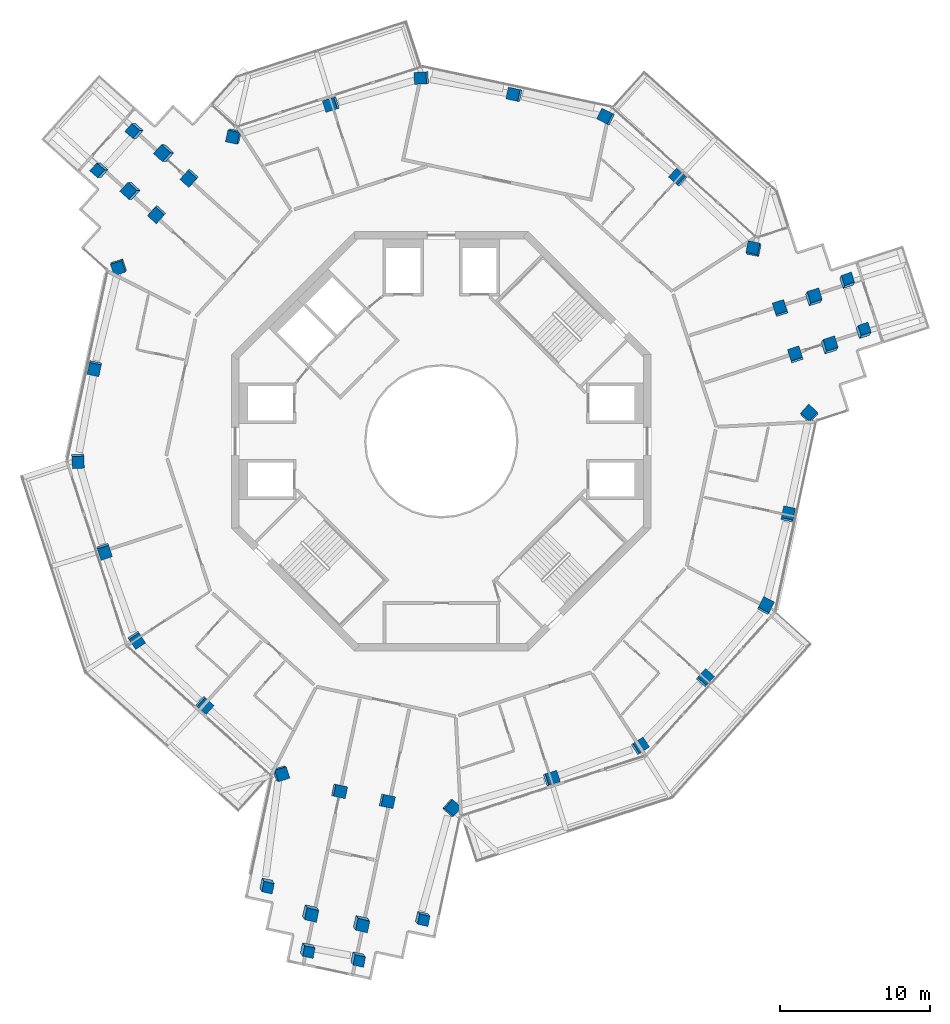
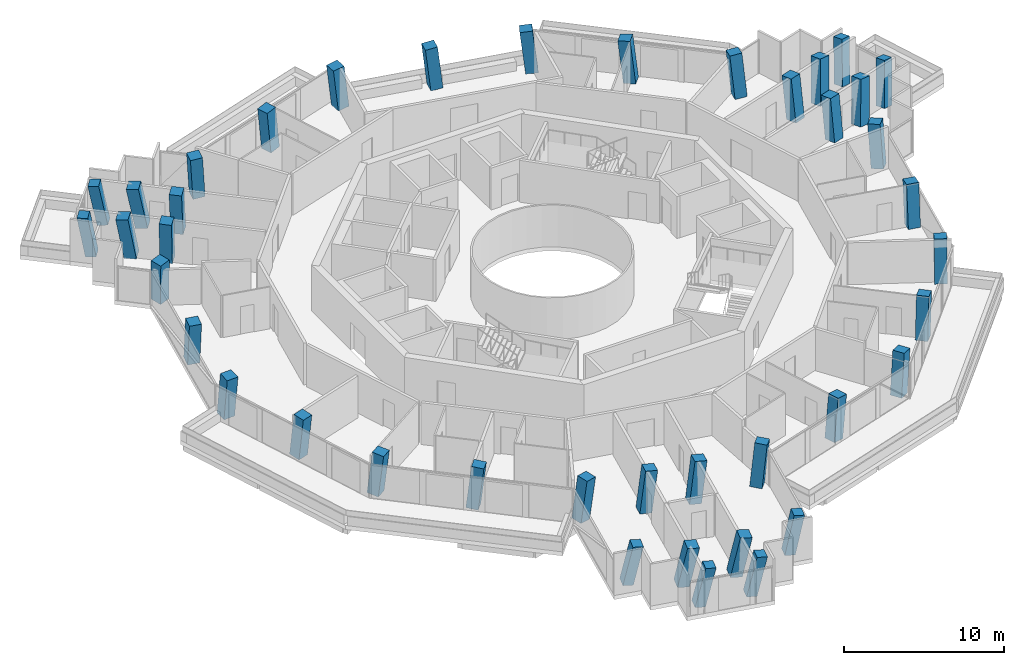
# One storey, part 1 of 22: 41 columns.
"""IFC4 building model written with IfcOpenShell, lengths in metres."""

from ifc_helpers import new_model, si_unit, direction, frame, origin, origin_2d, place, context, subcontext, project, spatial, rectangle, extrude, material, material_profile, profile_set, type_object, element, save


model = new_model("IFC4")

# Units and contexts
model_context = context("Model", 3, precision=1e-05, world=origin(), true_north=direction((0.0, 1.0)))
body_context = subcontext(model_context, "Body", "Model", "MODEL_VIEW")
ifc_project = project(units=[si_unit("LENGTHUNIT", "METRE"), si_unit("AREAUNIT", "SQUARE_METRE"), si_unit("VOLUMEUNIT", "CUBIC_METRE"), si_unit("PLANEANGLEUNIT", "RADIAN"), si_unit("MASSUNIT", "GRAM", prefix="KILO")], contexts=[model_context])

# Site, building, storey
site_placement = place(None, origin())
site = spatial("IfcSite", under=ifc_project, at=site_placement, CompositionType="ELEMENT")
building_placement = place(site_placement, origin())
building = spatial("IfcBuilding", under=site, at=building_placement, Name="Verdalira Terraces Hotel", CompositionType="ELEMENT")
storey_placement = place(building_placement, frame((0.0, 0.0, 230.5)))
storey = spatial("IfcBuildingStorey", under=building, at=storey_placement, Name="L56", CompositionType="ELEMENT", Elevation=230.5)

# Columns
ifc_material_1 = material(Name="Concrete C50", Category="concrete")
ifc_material_profile_1 = material_profile(ifc_material_1, rectangle(XDim=0.699951, YDim=0.699951, at=origin_2d()), Name="RC 700X700")
ifc_profile_set_1 = profile_set([ifc_material_profile_1], Name="Concrete C50")
column_type_1 = type_object("IfcColumnType", Name="Column RC 700X700 C50", PredefinedType="COLUMN", material=ifc_profile_set_1)
for number, where, z_axis, x_axis, name in (
    (1, (-11.701416, -29.559082, 0.0), (0.110681165, -0.195183698, 0.974501413), (-0.229596057, -0.959024176, -0.166006867), "Column C08"),
    (2, (-8.999756, -33.875, 0.0), (0.1307404, -0.182499577, 0.974474654), (0.969912129, -0.180064906, -0.163850818), "Column C09"),
):
    element("IfcColumn", number, at=place(storey_placement, frame(where, z_axis=z_axis, x_axis=x_axis)), inside=storey, type_object=column_type_1, Name=name, PredefinedType="COLUMN", context=body_context, shape_type="SweptSolid", body=[
        extrude(rectangle(XDim=0.699951, YDim=0.699951, at=origin_2d()), origin(), (0.0, 0.0, 1.0), 3.273438),
    ])
column_1_placement = place(storey_placement, frame((-5.633545, -34.488281, 0.0), z_axis=(0.133745815, -0.167163578, 0.976815436), x_axis=(0.969372325, -0.182805562, -0.164010434)))
element("IfcColumn", 3, at=column_1_placement, inside=storey, type_object=column_type_1, Name="Column C10", PredefinedType="COLUMN", context=body_context, shape_type="SweptSolid", body=[
    extrude(rectangle(XDim=0.699951, YDim=0.699951, at=origin_2d()), origin(), (0.0, 0.0, 1.0), 3.265625),
])
column_2_placement = place(storey_placement, frame((-1.317627, -31.786621, 0.0), z_axis=(0.121545148, -0.147762242, 0.981525902), x_axis=(0.223881096, 0.967456483, 0.11792035)))
element("IfcColumn", 4, at=column_2_placement, inside=storey, type_object=column_type_1, Name="Column C11", PredefinedType="COLUMN", context=body_context, shape_type="SweptSolid", body=[
    extrude(rectangle(XDim=0.699951, YDim=0.699951, at=origin_2d()), origin(), (0.0, 0.0, 1.0), 3.25),
])
column_3_placement = place(storey_placement, frame((28.130127, 7.289551, 0.0), z_axis=(0.102010703, 0.178631077, 0.97861369), x_axis=(-0.326142329, 0.935378422, -0.136742054)))
element("IfcColumn", 5, at=column_3_placement, inside=storey, type_object=column_type_1, Name="Column C19", PredefinedType="COLUMN", context=body_context, shape_type="SweptSolid", body=[
    extrude(rectangle(XDim=0.699951, YDim=0.699951, at=origin_2d()), origin(), (0.0, 0.0, 1.0), 3.259766),
])
column_4_placement = place(storey_placement, frame((27.04248, 10.637207, 0.0), z_axis=(0.086490317, 0.173806496, 0.980974376), x_axis=(-0.324347801, 0.935930959, -0.1372288)))
element("IfcColumn", 6, at=column_4_placement, inside=storey, type_object=column_type_1, Name="Column C20", PredefinedType="COLUMN", context=body_context, shape_type="SweptSolid", body=[
    extrude(rectangle(XDim=0.699951, YDim=0.699951, at=origin_2d()), origin(), (0.0, 0.0, 1.0), 3.251709),
])
column_5_placement = place(storey_placement, frame((-20.37793, 20.716797, 0.0), z_axis=(-0.205670631, -0.001048576, 0.978620709), x_axis=(-0.64671389, -0.750379121, -0.136719857)))
element("IfcColumn", 7, at=column_5_placement, inside=storey, type_object=column_type_1, Name="Column C28", PredefinedType="COLUMN", context=body_context, shape_type="SweptSolid", body=[
    extrude(rectangle(XDim=0.699951, YDim=0.699951, at=origin_2d()), origin(), (0.0, 0.0, 1.0), 3.259521),
])
column_6_placement = place(storey_placement, frame((-22.733398, 18.10083, 0.0), z_axis=(-0.193777071, -0.011937448, 0.980972958), x_axis=(-0.648610186, -0.748646574, -0.137233866)))
element("IfcColumn", 8, at=column_6_placement, inside=storey, type_object=column_type_1, Name="Column C29", PredefinedType="COLUMN", context=body_context, shape_type="SweptSolid", body=[
    extrude(rectangle(XDim=0.699951, YDim=0.699951, at=origin_2d()), origin(), (0.0, 0.0, 1.0), 3.251709),
])
ifc_material_2 = material(Name="Concrete C50", Category="concrete")
ifc_material_profile_2 = material_profile(ifc_material_2, rectangle(XDim=0.800049, YDim=0.800049, at=origin_2d()), Name="RC 800X800")
ifc_profile_set_2 = profile_set([ifc_material_profile_2], Name="Concrete C50")
column_type_2 = type_object("IfcColumnType", Name="Column RC 800X800 C50", PredefinedType="COLUMN", material=ifc_profile_set_2)
column_7_placement = place(storey_placement, frame((-21.520264, 11.679932, 0.0), z_axis=(-0.054654256, -0.102771286, 0.993202384), x_axis=(-0.314567755, 0.945810578, 0.0805573)))
element("IfcColumn", 9, at=column_7_placement, inside=storey, type_object=column_type_2, Name="Column C01", PredefinedType="COLUMN", context=body_context, shape_type="SweptSolid", body=[
    extrude(rectangle(XDim=0.800049, YDim=0.800049, at=origin_2d()), origin(), (0.0, 0.0, 1.0), 3.21167),
])
column_8_placement = place(storey_placement, frame((-23.141357, 4.918701, 0.0), z_axis=(-0.022434279, -0.110270183, 0.993648424), x_axis=(-0.206353156, -0.971985836, -0.112525153)))
element("IfcColumn", 10, at=column_8_placement, inside=storey, type_object=column_type_2, Name="Column C02", PredefinedType="COLUMN", context=body_context, shape_type="SweptSolid", body=[
    extrude(rectangle(XDim=0.800049, YDim=0.800049, at=origin_2d()), origin(), (0.0, 0.0, 1.0), 3.210449),
])
column_9_placement = place(storey_placement, frame((-24.252686, -1.270996, 0.0), z_axis=(0.007070102, -0.115250266, 0.993311326), x_axis=(-0.052401319, 0.991928647, 0.115462816)))
element("IfcColumn", 11, at=column_9_placement, inside=storey, type_object=column_type_2, Name="Column C03", PredefinedType="COLUMN", context=body_context, shape_type="SweptSolid", body=[
    extrude(rectangle(XDim=0.800049, YDim=0.800049, at=origin_2d()), origin(), (0.0, 0.0, 1.0), 3.211426),
])
column_10_placement = place(storey_placement, frame((-22.500488, -7.310791, 0.0), z_axis=(0.03566653, -0.106771447, 0.993643677), x_axis=(0.306813406, -0.945089515, -0.112567057)))
element("IfcColumn", 12, at=column_10_placement, inside=storey, type_object=column_type_2, Name="Column C04", PredefinedType="COLUMN", context=body_context, shape_type="SweptSolid", body=[
    extrude(rectangle(XDim=0.800049, YDim=0.800049, at=origin_2d()), origin(), (0.0, 0.0, 1.0), 3.210449),
])
column_11_placement = place(storey_placement, frame((-20.36792, -13.227051, 0.0), z_axis=(0.063782539, -0.096319996, 0.99330471), x_axis=(-0.541368375, 0.83281179, 0.115519716)))
element("IfcColumn", 13, at=column_11_placement, inside=storey, type_object=column_type_2, Name="Column C05", PredefinedType="COLUMN", context=body_context, shape_type="SweptSolid", body=[
    extrude(rectangle(XDim=0.800049, YDim=0.800049, at=origin_2d()), origin(), (0.0, 0.0, 1.0), 3.211426),
])
column_12_placement = place(storey_placement, frame((-15.830566, -17.581543, 0.0), z_axis=(0.084261508, -0.074603375, 0.993646987), x_axis=(0.738340463, -0.664972628, -0.112537837)))
element("IfcColumn", 14, at=column_12_placement, inside=storey, type_object=column_type_2, Name="Column C06", PredefinedType="COLUMN", context=body_context, shape_type="SweptSolid", body=[
    extrude(rectangle(XDim=0.800049, YDim=0.800049, at=origin_2d()), origin(), (0.0, 0.0, 1.0), 3.210449),
])
column_13_placement = place(storey_placement, frame((-10.742676, -22.162598, 0.0), z_axis=(0.105802772, -0.050241115, 0.993117115), x_axis=(-0.301139671, 0.950205493, 0.080152476)))
element("IfcColumn", 15, at=column_13_placement, inside=storey, type_object=column_type_2, Name="Column C07", PredefinedType="COLUMN", context=body_context, shape_type="SweptSolid", body=[
    extrude(rectangle(XDim=0.800049, YDim=0.800049, at=origin_2d()), origin(), (0.0, 0.0, 1.0), 3.212158),
])
column_14_placement = place(storey_placement, frame((0.64502, -24.477051, 0.0), z_axis=(0.116377199, 0.004028734, 0.993196917), x_axis=(-0.661978405, -0.745177772, 0.080589573)))
element("IfcColumn", 16, at=column_14_placement, inside=storey, type_object=column_type_2, Name="Column C12", PredefinedType="COLUMN", context=body_context, shape_type="SweptSolid", body=[
    extrude(rectangle(XDim=0.800049, YDim=0.800049, at=origin_2d()), origin(), (0.0, 0.0, 1.0), 3.21167),
])
column_15_placement = place(storey_placement, frame((7.310791, -22.500488, 0.0), z_axis=(0.106771447, 0.03566653, 0.993643677), x_axis=(0.945089515, 0.306813406, -0.112567057)))
element("IfcColumn", 17, at=column_15_placement, inside=storey, type_object=column_type_2, Name="Column C13", PredefinedType="COLUMN", context=body_context, shape_type="SweptSolid", body=[
    extrude(rectangle(XDim=0.800049, YDim=0.800049, at=origin_2d()), origin(), (0.0, 0.0, 1.0), 3.210449),
])
column_16_placement = place(storey_placement, frame((13.227051, -20.36792, 0.0), z_axis=(0.096319996, 0.063782539, 0.99330471), x_axis=(-0.83281179, -0.541368375, 0.115519716)))
element("IfcColumn", 18, at=column_16_placement, inside=storey, type_object=column_type_2, Name="Column C14", PredefinedType="COLUMN", context=body_context, shape_type="SweptSolid", body=[
    extrude(rectangle(XDim=0.800049, YDim=0.800049, at=origin_2d()), origin(), (0.0, 0.0, 1.0), 3.211426),
])
column_17_placement = place(storey_placement, frame((17.581543, -15.830566, 0.0), z_axis=(0.074603375, 0.084261508, 0.993646987), x_axis=(0.664972628, 0.738340463, -0.112537837)))
element("IfcColumn", 19, at=column_17_placement, inside=storey, type_object=column_type_2, Name="Column C15", PredefinedType="COLUMN", context=body_context, shape_type="SweptSolid", body=[
    extrude(rectangle(XDim=0.800049, YDim=0.800049, at=origin_2d()), origin(), (0.0, 0.0, 1.0), 3.210449),
])
column_18_placement = place(storey_placement, frame((21.638916, -11.025391, 0.0), z_axis=(0.051543375, 0.103314818, 0.993312302), x_axis=(-0.450968307, -0.885041164, 0.11545442)))
element("IfcColumn", 20, at=column_18_placement, inside=storey, type_object=column_type_2, Name="Column C16", PredefinedType="COLUMN", context=body_context, shape_type="SweptSolid", body=[
    extrude(rectangle(XDim=0.800049, YDim=0.800049, at=origin_2d()), origin(), (0.0, 0.0, 1.0), 3.211426),
])
column_19_placement = place(storey_placement, frame((23.141357, -4.918701, 0.0), z_axis=(0.022434279, 0.110270183, 0.993648424), x_axis=(0.206353156, 0.971985836, -0.112525153)))
element("IfcColumn", 21, at=column_19_placement, inside=storey, type_object=column_type_2, Name="Column C17", PredefinedType="COLUMN", context=body_context, shape_type="SweptSolid", body=[
    extrude(rectangle(XDim=0.800049, YDim=0.800049, at=origin_2d()), origin(), (0.0, 0.0, 1.0), 3.210449),
])
column_20_placement = place(storey_placement, frame((24.564697, 1.778076, 0.0), z_axis=(-0.009425041, 0.116672885, 0.993125675), x_axis=(-0.672082244, -0.736131103, 0.080102789)))
element("IfcColumn", 22, at=column_20_placement, inside=storey, type_object=column_type_2, Name="Column C18", PredefinedType="COLUMN", context=body_context, shape_type="SweptSolid", body=[
    extrude(rectangle(XDim=0.800049, YDim=0.800049, at=origin_2d()), origin(), (0.0, 0.0, 1.0), 3.211914),
])
column_21_placement = place(storey_placement, frame((20.875244, 12.797119, 0.0), z_axis=(-0.061723248, 0.098741994, 0.993196989), x_axis=(0.976425462, -0.200246615, 0.08058915)))
element("IfcColumn", 23, at=column_21_placement, inside=storey, type_object=column_type_2, Name="Column C21", PredefinedType="COLUMN", context=body_context, shape_type="SweptSolid", body=[
    extrude(rectangle(XDim=0.800049, YDim=0.800049, at=origin_2d()), origin(), (0.0, 0.0, 1.0), 3.21167),
])
column_22_placement = place(storey_placement, frame((15.830566, 17.581543, 0.0), z_axis=(-0.084261508, 0.074603375, 0.993646987), x_axis=(-0.738340463, 0.664972628, -0.112537837)))
element("IfcColumn", 24, at=column_22_placement, inside=storey, type_object=column_type_2, Name="Column C22", PredefinedType="COLUMN", context=body_context, shape_type="SweptSolid", body=[
    extrude(rectangle(XDim=0.800049, YDim=0.800049, at=origin_2d()), origin(), (0.0, 0.0, 1.0), 3.210449),
])
column_23_placement = place(storey_placement, frame((11.025391, 21.638916, 0.0), z_axis=(-0.103314818, 0.051543375, 0.993312302), x_axis=(0.885041164, -0.450968307, 0.11545442)))
element("IfcColumn", 25, at=column_23_placement, inside=storey, type_object=column_type_2, Name="Column C23", PredefinedType="COLUMN", context=body_context, shape_type="SweptSolid", body=[
    extrude(rectangle(XDim=0.800049, YDim=0.800049, at=origin_2d()), origin(), (0.0, 0.0, 1.0), 3.211426),
])
column_24_placement = place(storey_placement, frame((4.918701, 23.141357, 0.0), z_axis=(-0.110270183, 0.022434279, 0.993648424), x_axis=(-0.971985836, 0.206353156, -0.112525153)))
element("IfcColumn", 26, at=column_24_placement, inside=storey, type_object=column_type_2, Name="Column C24", PredefinedType="COLUMN", context=body_context, shape_type="SweptSolid", body=[
    extrude(rectangle(XDim=0.800049, YDim=0.800049, at=origin_2d()), origin(), (0.0, 0.0, 1.0), 3.210449),
])
column_25_placement = place(storey_placement, frame((-1.270996, 24.252686, 0.0), z_axis=(-0.115250266, -0.007070102, 0.993311326), x_axis=(0.991928647, 0.052401319, 0.115462816)))
element("IfcColumn", 27, at=column_25_placement, inside=storey, type_object=column_type_2, Name="Column C25", PredefinedType="COLUMN", context=body_context, shape_type="SweptSolid", body=[
    extrude(rectangle(XDim=0.800049, YDim=0.800049, at=origin_2d()), origin(), (0.0, 0.0, 1.0), 3.211426),
])
column_26_placement = place(storey_placement, frame((-7.310791, 22.500488, 0.0), z_axis=(-0.106771447, -0.03566653, 0.993643677), x_axis=(-0.945089515, -0.306813406, -0.112567057)))
element("IfcColumn", 28, at=column_26_placement, inside=storey, type_object=column_type_2, Name="Column C26", PredefinedType="COLUMN", context=body_context, shape_type="SweptSolid", body=[
    extrude(rectangle(XDim=0.800049, YDim=0.800049, at=origin_2d()), origin(), (0.0, 0.0, 1.0), 3.210449),
])
column_27_placement = place(storey_placement, frame((-13.822021, 20.384766, 0.0), z_axis=(-0.096378129, -0.06650699, 0.993120374), x_axis=(0.973507887, -0.214151828, 0.080133564)))
element("IfcColumn", 29, at=column_27_placement, inside=storey, type_object=column_type_2, Name="Column C27", PredefinedType="COLUMN", context=body_context, shape_type="SweptSolid", body=[
    extrude(rectangle(XDim=0.800049, YDim=0.800049, at=origin_2d()), origin(), (0.0, 0.0, 1.0), 3.212158),
])
for number, where, z_axis, x_axis, name in (
    (30, (-16.7854, 17.611572, 0.0), (-0.083014993, -0.080506298, 0.993291119), (-0.742716449, 0.669560569, -0.007805122), "Column C30"),
    (31, (-18.964111, 15.19165, 0.0), (-0.071536398, -0.090769883, 0.993299236), (-0.743421334, 0.668780496, 0.007574195), "Column C31"),
):
    element("IfcColumn", number, at=place(storey_placement, frame(where, z_axis=z_axis, x_axis=x_axis)), inside=storey, type_object=column_type_2, Name=name, PredefinedType="COLUMN", context=body_context, shape_type="SweptSolid", body=[
        extrude(rectangle(XDim=0.800049, YDim=0.800049, at=origin_2d()), origin(), (0.0, 0.0, 1.0), 3.211426),
    ])
column_28_placement = place(storey_placement, frame((-18.406982, 19.229248, 0.0), z_axis=(-0.199050775, 0.008325032, 0.979953817), x_axis=(-0.721059655, 0.675948467, -0.152205924)))
element("IfcColumn", 32, at=column_28_placement, inside=storey, type_object=column_type_2, Name="Column C32", PredefinedType="COLUMN", context=body_context, shape_type="SweptSolid", body=[
    extrude(rectangle(XDim=0.800049, YDim=0.800049, at=origin_2d()), origin(), (0.0, 0.0, 1.0), 3.255127),
])
column_29_placement = place(storey_placement, frame((-20.664307, 16.722412, 0.0), z_axis=(-0.187636679, -0.002255249, 0.982235914), x_axis=(-0.72440881, 0.675654287, -0.136832601)))
element("IfcColumn", 33, at=column_29_placement, inside=storey, type_object=column_type_2, Name="Column C33", PredefinedType="COLUMN", context=body_context, shape_type="SweptSolid", body=[
    extrude(rectangle(XDim=0.800049, YDim=0.800049, at=origin_2d()), origin(), (0.0, 0.0, 1.0), 3.247559),
])
for number, where, z_axis, x_axis, name in (
    (34, (-6.859619, -23.342285, 0.0), (0.111293784, -0.031700484, 0.99328182), (-0.208838823, -0.977918883, -0.007810511), "Column C34"),
    (35, (-3.674316, -24.019287, 0.0), (0.114412295, -0.016496656, 0.993296374), (-0.206835008, -0.978346506, 0.007575807), "Column C35"),
):
    element("IfcColumn", number, at=place(storey_placement, frame(where, z_axis=z_axis, x_axis=x_axis)), inside=storey, type_object=column_type_2, Name=name, PredefinedType="COLUMN", context=body_context, shape_type="SweptSolid", body=[
        extrude(rectangle(XDim=0.800049, YDim=0.800049, at=origin_2d()), origin(), (0.0, 0.0, 1.0), 3.211426),
    ])
column_30_placement = place(storey_placement, frame((-8.79541, -31.403564, 0.0), z_axis=(0.119372397, -0.181897238, 0.976044889), x_axis=(-0.228786427, -0.961657311, -0.151234872)))
element("IfcColumn", 36, at=column_30_placement, inside=storey, type_object=column_type_2, Name="Column C36", PredefinedType="COLUMN", context=body_context, shape_type="SweptSolid", body=[
    extrude(rectangle(XDim=0.800049, YDim=0.800049, at=origin_2d()), origin(), (0.0, 0.0, 1.0), 3.268311),
])
column_31_placement = place(storey_placement, frame((-5.397217, -32.125732, 0.0), z_axis=(0.122877224, -0.1663822, 0.978375261), x_axis=(-0.226904977, -0.964442731, -0.135515129)))
element("IfcColumn", 37, at=column_31_placement, inside=storey, type_object=column_type_2, Name="Column C37", PredefinedType="COLUMN", context=body_context, shape_type="SweptSolid", body=[
    extrude(rectangle(XDim=0.800049, YDim=0.800049, at=origin_2d()), origin(), (0.0, 0.0, 1.0), 3.260498),
])
for number, where, z_axis, x_axis, name in (
    (38, (23.644775, 5.730713, 0.0), (-0.028203627, 0.112206342, 0.993284598), (0.951278104, 0.308235285, -0.007808901), "Column C38"),
    (39, (22.638428, 8.827637, 0.0), (-0.042876136, 0.107342384, 0.993297161), (0.950808753, 0.309685856, 0.007575364), "Column C39"),
):
    element("IfcColumn", number, at=place(storey_placement, frame(where, z_axis=z_axis, x_axis=x_axis)), inside=storey, type_object=column_type_2, Name=name, PredefinedType="COLUMN", context=body_context, shape_type="SweptSolid", body=[
        extrude(rectangle(XDim=0.800049, YDim=0.800049, at=origin_2d()), origin(), (0.0, 0.0, 1.0), 3.211426),
    ])
column_32_placement = place(storey_placement, frame((25.856445, 6.326416, 0.0), z_axis=(0.106725433, 0.168225683, 0.979953979), x_axis=(0.945902743, 0.286533668, -0.152205313)))
element("IfcColumn", 40, at=column_32_placement, inside=storey, type_object=column_type_2, Name="Column C40", PredefinedType="COLUMN", context=body_context, shape_type="SweptSolid", body=[
    extrude(rectangle(XDim=0.800049, YDim=0.800049, at=origin_2d()), origin(), (0.0, 0.0, 1.0), 3.255127),
])
column_33_placement = place(storey_placement, frame((24.813965, 9.534668, 0.0), z_axis=(0.09193902, 0.163580792, 0.9822365), x_axis=(0.947471522, 0.289093697, -0.136830366)))
element("IfcColumn", 41, at=column_33_placement, inside=storey, type_object=column_type_2, Name="Column C41", PredefinedType="COLUMN", context=body_context, shape_type="SweptSolid", body=[
    extrude(rectangle(XDim=0.800049, YDim=0.800049, at=origin_2d()), origin(), (0.0, 0.0, 1.0), 3.247559),
])

save(model, "model.ifc")
